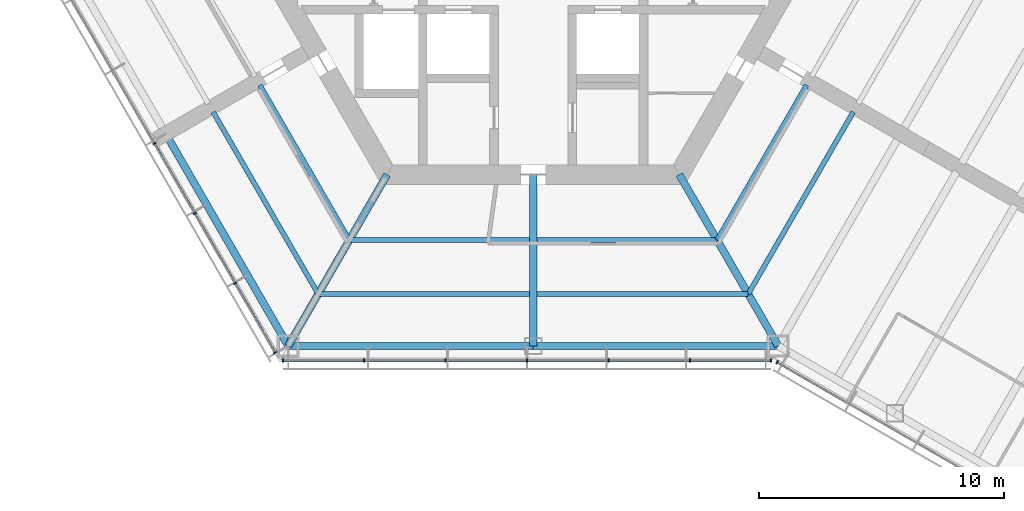
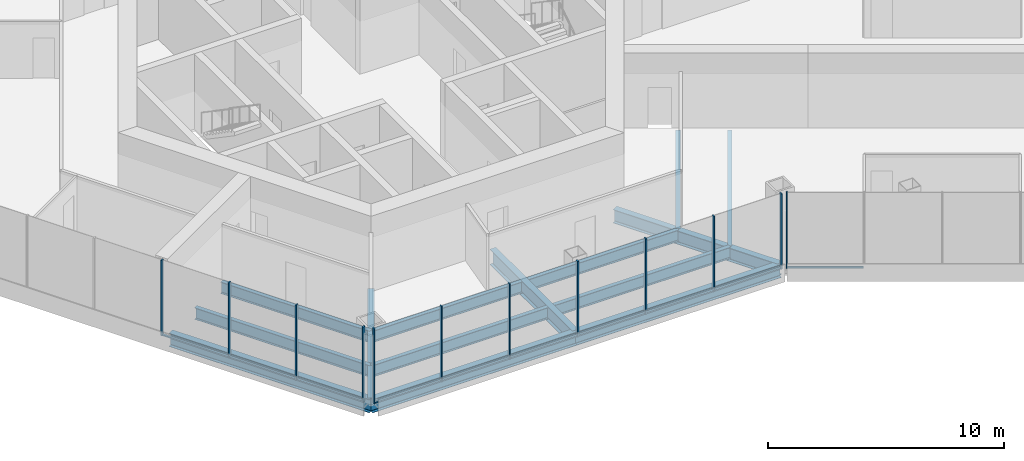
# One storey, part 2 of 15: 22 members, 14 beams, 3 elements without a shape of their own.
"""IFC4 building model written with IfcOpenShell, lengths in metres."""

from ifc_helpers import new_model, si_unit, direction, frame, origin, origin_2d, place, context, subcontext, project, spatial, rectangle, i_section, extrude, material, material_profile, profile_set, type_object, element, aggregate, save


model = new_model("IFC4")

# Units and contexts
model_context = context("Model", 3, precision=1e-05, world=origin(), true_north=direction((0.0, 1.0)))
body_context = subcontext(model_context, "Body", "Model", "MODEL_VIEW")
ifc_project = project(units=[si_unit("LENGTHUNIT", "METRE"), si_unit("AREAUNIT", "SQUARE_METRE"), si_unit("VOLUMEUNIT", "CUBIC_METRE"), si_unit("PLANEANGLEUNIT", "RADIAN"), si_unit("MASSUNIT", "GRAM", prefix="KILO")], contexts=[model_context])

# Site, building, storey
site_placement = place(None, origin())
site = spatial("IfcSite", under=ifc_project, at=site_placement, CompositionType="ELEMENT")
building_placement = place(site_placement, origin())
building = spatial("IfcBuilding", under=site, at=building_placement, Name="Kasaneha Research Tower", CompositionType="ELEMENT")
storey_placement = place(building_placement, frame((0.0, 0.0, 212.800048828125)))
storey = spatial("IfcBuildingStorey", under=building, at=storey_placement, Name="L53", CompositionType="ELEMENT", Elevation=212.800048828125)

# Beams
ifc_material_1 = material(Name="Steel SN490B", Category="steel")
ifc_material_profile_1 = material_profile(ifc_material_1, i_section(OverallWidth=0.199951171875, OverallDepth=0.60009765625, WebThickness=0.010986328125, FlangeThickness=0.01708984375, FilletRadius=0.012939453125, at=origin_2d()), Name="H-600x200x11x17")
ifc_profile_set_1 = profile_set([ifc_material_profile_1], Name="Steel SN490B")
beam_type_1 = type_object("IfcBeamType", Name="B1-3 secondary beam H-600x200x11x17", PredefinedType="JOIST", material=ifc_profile_set_1)
beam_1_placement = place(storey_placement, frame((-7.505615234375, -13.0, -0.449951171875), z_axis=(-0.499999192304, 0.866025870108, 0.0), x_axis=(-0.866025870108, -0.499999192304, 0.0)))
element("IfcBeam", 1, at=beam_1_placement, inside=storey, type_object=beam_type_1, Name="Secondary beam RS210R1 L53", PredefinedType="JOIST", context=body_context, shape_type="SweptSolid", body=[
    extrude(i_section(OverallWidth=0.199951171875, OverallDepth=0.60009765625, WebThickness=0.010986328125, FlangeThickness=0.01708984375, FilletRadius=0.012939453125, at=origin_2d()), origin(), (0.0, 0.0, 1.0), 7.3056640625),
])
beam_2_placement = place(storey_placement, frame((-8.775634765625, -15.199951171875, -0.449951171875), z_axis=(-0.500000102728, 0.866025344474, 0.0), x_axis=(-0.866025344474, -0.500000102728, 0.0)))
element("IfcBeam", 2, at=beam_2_placement, inside=storey, type_object=beam_type_1, Name="Secondary beam RS210R2 L53", PredefinedType="JOIST", context=body_context, shape_type="SweptSolid", body=[
    extrude(i_section(OverallWidth=0.199951171875, OverallDepth=0.60009765625, WebThickness=0.010986328125, FlangeThickness=0.01708984375, FilletRadius=0.012939453125, at=origin_2d()), origin(), (0.0, 0.0, 1.0), 8.57568359375),
])
beam_3_placement = place(storey_placement, frame((-7.505615234375, -13.0, -0.449951171875), z_axis=(1.0, 0.0, 0.0), x_axis=(0.0, 1.0, 0.0)))
element("IfcBeam", 3, at=beam_3_placement, inside=storey, type_object=beam_type_1, Name="Secondary beam RS270L1 L53", PredefinedType="JOIST", context=body_context, shape_type="SweptSolid", body=[
    extrude(i_section(OverallWidth=0.199951171875, OverallDepth=0.60009765625, WebThickness=0.010986328125, FlangeThickness=0.01708984375, FilletRadius=0.012939453125, at=origin_2d()), origin(), (0.0, 0.0, 1.0), 7.355712890625),
])
beam_4_placement = place(storey_placement, frame((-8.775634765625, -15.199951171875, -0.449951171875), z_axis=(1.0, 0.0, 0.0), x_axis=(0.0, 1.0, 0.0)))
element("IfcBeam", 4, at=beam_4_placement, inside=storey, type_object=beam_type_1, Name="Secondary beam RS270L2 L53", PredefinedType="JOIST", context=body_context, shape_type="SweptSolid", body=[
    extrude(i_section(OverallWidth=0.199951171875, OverallDepth=0.60009765625, WebThickness=0.010986328125, FlangeThickness=0.01708984375, FilletRadius=0.012939453125, at=origin_2d()), origin(), (0.0, 0.0, 1.0), 8.625732421875),
])
beam_5_placement = place(storey_placement, frame((7.505615234375, -13.0, -0.449951171875), z_axis=(-1.0, 0.0, 0.0), x_axis=(0.0, -1.0, 0.0)))
element("IfcBeam", 5, at=beam_5_placement, inside=storey, type_object=beam_type_1, Name="Secondary beam RS270R1 L53", PredefinedType="JOIST", context=body_context, shape_type="SweptSolid", body=[
    extrude(i_section(OverallWidth=0.199951171875, OverallDepth=0.60009765625, WebThickness=0.010986328125, FlangeThickness=0.01708984375, FilletRadius=0.012939453125, at=origin_2d()), origin(), (0.0, 0.0, 1.0), 7.355712890625),
])
beam_6_placement = place(storey_placement, frame((8.775634765625, -15.199951171875, -0.449951171875), z_axis=(-1.0, 0.0, 0.0), x_axis=(0.0, -1.0, 0.0)))
element("IfcBeam", 6, at=beam_6_placement, inside=storey, type_object=beam_type_1, Name="Secondary beam RS270R2 L53", PredefinedType="JOIST", context=body_context, shape_type="SweptSolid", body=[
    extrude(i_section(OverallWidth=0.199951171875, OverallDepth=0.60009765625, WebThickness=0.010986328125, FlangeThickness=0.01708984375, FilletRadius=0.012939453125, at=origin_2d()), origin(), (0.0, 0.0, 1.0), 8.625732421875),
])
beam_7_placement = place(storey_placement, frame((7.505615234375, -13.0, -0.449951171875), z_axis=(0.499999192304, 0.866025870108, 0.0), x_axis=(-0.866025870108, 0.499999192304, 0.0)))
element("IfcBeam", 7, at=beam_7_placement, inside=storey, type_object=beam_type_1, Name="Secondary beam RS330L1 L53", PredefinedType="JOIST", context=body_context, shape_type="SweptSolid", body=[
    extrude(i_section(OverallWidth=0.199951171875, OverallDepth=0.60009765625, WebThickness=0.010986328125, FlangeThickness=0.01708984375, FilletRadius=0.012939453125, at=origin_2d()), origin(), (0.0, 0.0, 1.0), 7.3056640625),
])
beam_8_placement = place(storey_placement, frame((8.775634765625, -15.199951171875, -0.449951171875), z_axis=(0.500000102728, 0.866025344474, 0.0), x_axis=(-0.866025344474, 0.500000102728, 0.0)))
element("IfcBeam", 8, at=beam_8_placement, inside=storey, type_object=beam_type_1, Name="Secondary beam RS330L2 L53", PredefinedType="JOIST", context=body_context, shape_type="SweptSolid", body=[
    extrude(i_section(OverallWidth=0.199951171875, OverallDepth=0.60009765625, WebThickness=0.010986328125, FlangeThickness=0.01708984375, FilletRadius=0.012939453125, at=origin_2d()), origin(), (0.0, 0.0, 1.0), 8.57568359375),
])

# Curtain wall, members
ifc_material_2 = material(Name="Glass and aluminium", Category="aluminium")
curtain_wall_type = type_object("IfcCurtainWallType", Name="High-rise office curtain wall", PredefinedType="USERDEFINED", material=ifc_material_2)
curtain_wall_1_placement = place(storey_placement, origin())
curtain_wall_1 = element("IfcCurtainWall", 9, at=curtain_wall_1_placement, inside=storey, type_object=curtain_wall_type, Name="CW-O3 L53 run 04a", ObjectType="UNITISED CURTAIN WALL", PredefinedType="USERDEFINED")
ifc_material_3 = material(Name="Aluminium 6063-T6", Category="aluminium")
ifc_material_profile_2 = material_profile(ifc_material_3, rectangle(XDim=0.06005859375, YDim=0.139892578125, at=origin_2d()), Name="CW-O3 mullion 60x140")
ifc_profile_set_2 = profile_set([ifc_material_profile_2], Name="Aluminium 6063-T6")
member_type_1 = type_object("IfcMemberType", Name="CW-O3 mullion", PredefinedType="MULLION", material=ifc_profile_set_2)
member_1_placement = place(storey_placement, frame((-15.461669921875, -9.060546875, 0.0), z_axis=(0.0, 0.0, 1.0), x_axis=(0.499999995722, -0.866025406254, 0.0)))
member_1 = element("IfcMember", 10, at=member_1_placement, type_object=member_type_1, Name="CW-O3 mullion 4", PredefinedType="MULLION", context=body_context, shape_type="SweptSolid", body=[
    extrude(rectangle(XDim=0.06005859375, YDim=0.139892578125, at=origin_2d()), origin(), (0.0, 0.0, 1.0), 3.89990234375),
])
member_2_placement = place(storey_placement, frame((-13.814697265625, -11.913330078125, 0.0), z_axis=(0.0, 0.0, 1.0), x_axis=(0.499999995722, -0.866025406254, 0.0)))
member_2 = element("IfcMember", 11, at=member_2_placement, type_object=member_type_1, Name="CW-O3 mullion 5", PredefinedType="MULLION", context=body_context, shape_type="SweptSolid", body=[
    extrude(rectangle(XDim=0.06005859375, YDim=0.139892578125, at=origin_2d()), origin(), (0.0, 0.0, 1.0), 3.89990234375),
])
member_3_placement = place(storey_placement, frame((-12.167724609375, -14.76611328125, 0.0), z_axis=(0.0, 0.0, 1.0), x_axis=(0.499999995722, -0.866025406254, 0.0)))
member_3 = element("IfcMember", 12, at=member_3_placement, type_object=member_type_1, Name="CW-O3 mullion 6", PredefinedType="MULLION", context=body_context, shape_type="SweptSolid", body=[
    extrude(rectangle(XDim=0.06005859375, YDim=0.139892578125, at=origin_2d()), origin(), (0.0, 0.0, 1.0), 3.89990234375),
])
member_4_placement = place(storey_placement, frame((-10.53564453125, -17.5927734375, 0.0), z_axis=(0.0, 0.0, 1.0), x_axis=(0.499999995722, -0.866025406254, 0.0)))
member_4 = element("IfcMember", 13, at=member_4_placement, type_object=member_type_1, Name="CW-O3 mullion 7", PredefinedType="MULLION", context=body_context, shape_type="SweptSolid", body=[
    extrude(rectangle(XDim=0.06005859375, YDim=0.139892578125, at=origin_2d()), origin(), (0.0, 0.0, 1.0), 3.89990234375),
])

curtain_wall_2_placement = place(storey_placement, origin())
curtain_wall_2 = element("IfcCurtainWall", 14, at=curtain_wall_2_placement, inside=storey, type_object=curtain_wall_type, Name="CW-O3 L53 run 05a", ObjectType="UNITISED CURTAIN WALL", PredefinedType="USERDEFINED")
member_5_placement = place(storey_placement, frame((-10.21630859375, -17.92041015625, 0.0), z_axis=(0.0, 0.0, 1.0), x_axis=(1.0, 0.0, 0.0)))
member_5 = element("IfcMember", 15, at=member_5_placement, type_object=member_type_1, Name="CW-O3 mullion 1", PredefinedType="MULLION", context=body_context, shape_type="SweptSolid", body=[
    extrude(rectangle(XDim=0.06005859375, YDim=0.139892578125, at=origin_2d()), origin(), (0.0, 0.0, 1.0), 3.89990234375),
])
member_6_placement = place(storey_placement, frame((-6.91552734375, -17.92041015625, 0.0), z_axis=(0.0, 0.0, 1.0), x_axis=(1.0, 0.0, 0.0)))
member_6 = element("IfcMember", 16, at=member_6_placement, type_object=member_type_1, Name="CW-O3 mullion 2", PredefinedType="MULLION", context=body_context, shape_type="SweptSolid", body=[
    extrude(rectangle(XDim=0.06005859375, YDim=0.139892578125, at=origin_2d()), origin(), (0.0, 0.0, 1.0), 3.89990234375),
])
member_7_placement = place(storey_placement, frame((-3.58447265625, -17.92041015625, 0.0), z_axis=(0.0, 0.0, 1.0), x_axis=(1.0, 0.0, 0.0)))
member_7 = element("IfcMember", 17, at=member_7_placement, type_object=member_type_1, Name="CW-O3 mullion 3", PredefinedType="MULLION", context=body_context, shape_type="SweptSolid", body=[
    extrude(rectangle(XDim=0.06005859375, YDim=0.139892578125, at=origin_2d()), origin(), (0.0, 0.0, 1.0), 3.89990234375),
])
member_8_placement = place(storey_placement, frame((-0.253662109375, -17.92041015625, 0.0), z_axis=(0.0, 0.0, 1.0), x_axis=(1.0, 0.0, 0.0)))
member_8 = element("IfcMember", 18, at=member_8_placement, type_object=member_type_1, Name="CW-O3 mullion 4", PredefinedType="MULLION", context=body_context, shape_type="SweptSolid", body=[
    extrude(rectangle(XDim=0.06005859375, YDim=0.139892578125, at=origin_2d()), origin(), (0.0, 0.0, 1.0), 3.89990234375),
])
member_9_placement = place(storey_placement, frame((3.077392578125, -17.92041015625, 0.0), z_axis=(0.0, 0.0, 1.0), x_axis=(1.0, 0.0, 0.0)))
member_9 = element("IfcMember", 19, at=member_9_placement, type_object=member_type_1, Name="CW-O3 mullion 5", PredefinedType="MULLION", context=body_context, shape_type="SweptSolid", body=[
    extrude(rectangle(XDim=0.06005859375, YDim=0.139892578125, at=origin_2d()), origin(), (0.0, 0.0, 1.0), 3.89990234375),
])
member_10_placement = place(storey_placement, frame((6.408203125, -17.92041015625, 0.0), z_axis=(0.0, 0.0, 1.0), x_axis=(1.0, 0.0, 0.0)))
member_10 = element("IfcMember", 20, at=member_10_placement, type_object=member_type_1, Name="CW-O3 mullion 6", PredefinedType="MULLION", context=body_context, shape_type="SweptSolid", body=[
    extrude(rectangle(XDim=0.06005859375, YDim=0.139892578125, at=origin_2d()), origin(), (0.0, 0.0, 1.0), 3.89990234375),
])
member_11_placement = place(storey_placement, frame((9.709228515625, -17.92041015625, 0.0), z_axis=(0.0, 0.0, 1.0), x_axis=(1.0, 0.0, 0.0)))
member_11 = element("IfcMember", 21, at=member_11_placement, type_object=member_type_1, Name="CW-O3 mullion 7", PredefinedType="MULLION", context=body_context, shape_type="SweptSolid", body=[
    extrude(rectangle(XDim=0.06005859375, YDim=0.139892578125, at=origin_2d()), origin(), (0.0, 0.0, 1.0), 3.89990234375),
])

# Curtain wall, member
curtain_wall_3_placement = place(storey_placement, origin())
curtain_wall_3 = element("IfcCurtainWall", 22, at=curtain_wall_3_placement, inside=storey, type_object=curtain_wall_type, Name="CW-O3 L53 run 06a", ObjectType="UNITISED CURTAIN WALL", PredefinedType="USERDEFINED")
member_12_placement = place(storey_placement, frame((9.951904296875, -17.985595703125, 0.0), z_axis=(0.0, 0.0, 1.0), x_axis=(0.866025411464, -0.499999986699, 0.0)))
member_12 = element("IfcMember", 23, at=member_12_placement, type_object=member_type_1, Name="CW-O3 mullion 1", PredefinedType="MULLION", context=body_context, shape_type="SweptSolid", body=[
    extrude(rectangle(XDim=0.06005859375, YDim=0.139892578125, at=origin_2d()), origin(), (0.0, 0.0, 1.0), 3.89990234375),
])

# Member
ifc_material_4 = material(Name="Aluminium 6063-T6", Category="aluminium")
ifc_material_profile_3 = material_profile(ifc_material_4, rectangle(XDim=0.10009765625, YDim=0.06005859375, at=origin_2d()), Name="CW-O3 transom 100x60")
ifc_profile_set_3 = profile_set([ifc_material_profile_3], Name="Aluminium 6063-T6")
member_type_2 = type_object("IfcMemberType", Name="CW-O3 transom", PredefinedType="USERDEFINED", material=ifc_profile_set_3)
member_13_placement = place(storey_placement, frame((-15.44677734375, -9.08642578125, 0.030029296875), z_axis=(0.500036104519, -0.866004557827, 0.0), x_axis=(0.866004557827, 0.500036104519, 0.0)))
member_13 = element("IfcMember", 24, at=member_13_placement, type_object=member_type_2, Name="CW-O3 transom 4", ObjectType="TRANSOM", PredefinedType="USERDEFINED", context=body_context, shape_type="SweptSolid", body=[
    extrude(rectangle(XDim=0.10009765625, YDim=0.06005859375, at=origin_2d()), origin(), (0.0, 0.0, 1.0), 3.234130859375),
])

member_14_placement = place(storey_placement, frame((-13.7998046875, -11.939208984375, 0.030029296875), z_axis=(0.500036104519, -0.866004557827, 0.0), x_axis=(0.866004557827, 0.500036104519, 0.0)))
member_14 = element("IfcMember", 25, at=member_14_placement, type_object=member_type_2, Name="CW-O3 transom 5", ObjectType="TRANSOM", PredefinedType="USERDEFINED", context=body_context, shape_type="SweptSolid", body=[
    extrude(rectangle(XDim=0.10009765625, YDim=0.06005859375, at=origin_2d()), origin(), (0.0, 0.0, 1.0), 3.234130859375),
])

member_15_placement = place(storey_placement, frame((-12.152587890625, -14.7919921875, 0.030029296875), z_axis=(0.499990676028, -0.866030786915, 0.0), x_axis=(0.866030786915, 0.499990676028, 0.0)))
member_15 = element("IfcMember", 26, at=member_15_placement, type_object=member_type_2, Name="CW-O3 transom 6", ObjectType="TRANSOM", PredefinedType="USERDEFINED", context=body_context, shape_type="SweptSolid", body=[
    extrude(rectangle(XDim=0.10009765625, YDim=0.06005859375, at=origin_2d()), origin(), (0.0, 0.0, 1.0), 3.2041015625),
])

aggregate(curtain_wall_1, [member_1, member_2, member_3, member_4, member_13, member_14, member_15])

member_16_placement = place(storey_placement, frame((-10.1865234375, -17.92041015625, 0.030029296875), z_axis=(1.0, 0.0, 0.0), x_axis=(0.0, 1.0, 0.0)))
member_16 = element("IfcMember", 27, at=member_16_placement, type_object=member_type_2, Name="CW-O3 transom 1", ObjectType="TRANSOM", PredefinedType="USERDEFINED", context=body_context, shape_type="SweptSolid", body=[
    extrude(rectangle(XDim=0.10009765625, YDim=0.06005859375, at=origin_2d()), origin(), (0.0, 0.0, 1.0), 3.240966796875),
])

member_17_placement = place(storey_placement, frame((-6.885498046875, -17.92041015625, 0.030029296875), z_axis=(1.0, 0.0, 0.0), x_axis=(0.0, 1.0, 0.0)))
member_17 = element("IfcMember", 28, at=member_17_placement, type_object=member_type_2, Name="CW-O3 transom 2", ObjectType="TRANSOM", PredefinedType="USERDEFINED", context=body_context, shape_type="SweptSolid", body=[
    extrude(rectangle(XDim=0.10009765625, YDim=0.06005859375, at=origin_2d()), origin(), (0.0, 0.0, 1.0), 3.27099609375),
])

member_18_placement = place(storey_placement, frame((-3.554443359375, -17.92041015625, 0.030029296875), z_axis=(1.0, 0.0, 0.0), x_axis=(0.0, 1.0, 0.0)))
member_18 = element("IfcMember", 29, at=member_18_placement, type_object=member_type_2, Name="CW-O3 transom 3", ObjectType="TRANSOM", PredefinedType="USERDEFINED", context=body_context, shape_type="SweptSolid", body=[
    extrude(rectangle(XDim=0.10009765625, YDim=0.06005859375, at=origin_2d()), origin(), (0.0, 0.0, 1.0), 3.270751953125),
])

member_19_placement = place(storey_placement, frame((-0.2236328125, -17.92041015625, 0.030029296875), z_axis=(1.0, 0.0, 0.0), x_axis=(0.0, 1.0, 0.0)))
member_19 = element("IfcMember", 30, at=member_19_placement, type_object=member_type_2, Name="CW-O3 transom 4", ObjectType="TRANSOM", PredefinedType="USERDEFINED", context=body_context, shape_type="SweptSolid", body=[
    extrude(rectangle(XDim=0.10009765625, YDim=0.06005859375, at=origin_2d()), origin(), (0.0, 0.0, 1.0), 3.27099609375),
])

member_20_placement = place(storey_placement, frame((3.107421875, -17.92041015625, 0.030029296875), z_axis=(1.0, 0.0, 0.0), x_axis=(0.0, 1.0, 0.0)))
member_20 = element("IfcMember", 31, at=member_20_placement, type_object=member_type_2, Name="CW-O3 transom 5", ObjectType="TRANSOM", PredefinedType="USERDEFINED", context=body_context, shape_type="SweptSolid", body=[
    extrude(rectangle(XDim=0.10009765625, YDim=0.06005859375, at=origin_2d()), origin(), (0.0, 0.0, 1.0), 3.270751953125),
])

member_21_placement = place(storey_placement, frame((6.438232421875, -17.92041015625, 0.030029296875), z_axis=(1.0, 0.0, 0.0), x_axis=(0.0, 1.0, 0.0)))
member_21 = element("IfcMember", 32, at=member_21_placement, type_object=member_type_2, Name="CW-O3 transom 6", ObjectType="TRANSOM", PredefinedType="USERDEFINED", context=body_context, shape_type="SweptSolid", body=[
    extrude(rectangle(XDim=0.10009765625, YDim=0.06005859375, at=origin_2d()), origin(), (0.0, 0.0, 1.0), 3.240966796875),
])

aggregate(curtain_wall_2, [member_5, member_6, member_7, member_8, member_9, member_10, member_11, member_16, member_17, member_18, member_19, member_20, member_21])

member_22_placement = place(storey_placement, frame((9.977783203125, -18.00048828125, 0.030029296875), z_axis=(0.866022692473, -0.500004696101, 0.0), x_axis=(0.500004696101, 0.866022692473, 0.0)))
member_22 = element("IfcMember", 33, at=member_22_placement, type_object=member_type_2, Name="CW-O3 transom 1", ObjectType="TRANSOM", PredefinedType="USERDEFINED", context=body_context, shape_type="SweptSolid", body=[
    extrude(rectangle(XDim=0.10009765625, YDim=0.06005859375, at=origin_2d()), origin(), (0.0, 0.0, 1.0), 3.2197265625),
])

aggregate(curtain_wall_3, [member_12, member_22])

# Beams
ifc_material_5 = material(Name="Steel SN490B", Category="steel")
ifc_material_profile_4 = material_profile(ifc_material_5, i_section(OverallWidth=0.300048828125, OverallDepth=0.699951171875, WebThickness=0.012939453125, FlangeThickness=0.02392578125, FilletRadius=0.01806640625, at=origin_2d()), Name="H-700x300x13x24")
ifc_profile_set_4 = profile_set([ifc_material_profile_4], Name="Steel SN490B")
beam_type_2 = type_object("IfcBeamType", Name="G1-3 radial girder H-700x300x13x24", PredefinedType="BEAM", material=ifc_profile_set_4)
for number, where, z_axis, x_axis, name in (
    (34, (-5.961181640625, -10.324951171875, -0.5), (-0.49999105496, -0.866030568144, 0.0), (0.866030568144, -0.49999105496, 0.0), "Radial girder RV240 L53"),
    (35, (5.961181640625, -10.324951171875, -0.5), (0.49999105496, -0.866030568144, 0.0), (0.866030568144, 0.49999105496, 0.0), "Radial girder RV300 L53"),
):
    element("IfcBeam", number, at=place(storey_placement, frame(where, z_axis=z_axis, x_axis=x_axis)), inside=storey, type_object=beam_type_2, Name=name, PredefinedType="BEAM", context=body_context, shape_type="SweptSolid", body=[
        extrude(i_section(OverallWidth=0.300048828125, OverallDepth=0.699951171875, WebThickness=0.012939453125, FlangeThickness=0.02392578125, FilletRadius=0.01806640625, at=origin_2d()), origin(), (0.0, 0.0, 1.0), 8.077880859375),
    ])
ifc_material_6 = material(Name="Steel SN490B", Category="steel")
ifc_material_profile_5 = material_profile(ifc_material_6, i_section(OverallWidth=0.300048828125, OverallDepth=0.800048828125, WebThickness=0.013916015625, FlangeThickness=0.02587890625, FilletRadius=0.01806640625, at=origin_2d()), Name="H-800x300x14x26")
ifc_profile_set_5 = profile_set([ifc_material_profile_5], Name="Steel SN490B")
beam_type_3 = type_object("IfcBeamType", Name="G2-3 radial girder H-800x300x14x26", PredefinedType="BEAM", material=ifc_profile_set_5)
beam_9_placement = place(storey_placement, frame((0.0, -10.324951171875, -0.550048828125), z_axis=(0.0, -1.0, 0.0), x_axis=(1.0, 0.0, 0.0)))
element("IfcBeam", 36, at=beam_9_placement, inside=storey, type_object=beam_type_3, Name="Radial girder RM270 L53", PredefinedType="BEAM", context=body_context, shape_type="SweptSolid", body=[
    extrude(i_section(OverallWidth=0.300048828125, OverallDepth=0.800048828125, WebThickness=0.013916015625, FlangeThickness=0.02587890625, FilletRadius=0.01806640625, at=origin_2d()), origin(), (0.0, 0.0, 1.0), 6.99560546875),
])
ifc_material_7 = material(Name="Steel SN490B", Category="steel")
ifc_material_profile_6 = material_profile(ifc_material_7, i_section(OverallWidth=0.300048828125, OverallDepth=0.69189453125, WebThickness=0.012939453125, FlangeThickness=0.02001953125, FilletRadius=0.01806640625, at=origin_2d()), Name="H-692x300x13x20")
ifc_profile_set_6 = profile_set([ifc_material_profile_6], Name="Steel SN490B")
beam_type_4 = type_object("IfcBeamType", Name="G3-3 plate edge girder H-692x300x13x20", PredefinedType="BEAM", material=ifc_profile_set_6)
beam_10_placement = place(storey_placement, frame((-10.0, -17.320556640625, -0.49609375), z_axis=(-0.49999201416, 0.866030014362, 0.0), x_axis=(-0.866030014362, -0.49999201416, 0.0)))
element("IfcBeam", 37, at=beam_10_placement, inside=storey, type_object=beam_type_4, Name="Plate edge girder PEBN L53", PredefinedType="BEAM", context=body_context, shape_type="SweptSolid", body=[
    extrude(i_section(OverallWidth=0.300048828125, OverallDepth=0.69189453125, WebThickness=0.012939453125, FlangeThickness=0.02001953125, FilletRadius=0.01806640625, at=origin_2d()), origin(), (0.0, 0.0, 1.0), 9.800048828125),
])
ifc_material_8 = material(Name="Steel SN490B", Category="steel")
ifc_material_profile_7 = material_profile(ifc_material_8, i_section(OverallWidth=0.300048828125, OverallDepth=0.69189453125, WebThickness=0.012939453125, FlangeThickness=0.02001953125, FilletRadius=0.01806640625, at=origin_2d()), Name="H-692x300x13x20")
ifc_profile_set_7 = profile_set([ifc_material_profile_7], Name="Steel SN490B")
beam_type_5 = type_object("IfcBeamType", Name="SB1-3 spandrel beam H-692x300x13x20", PredefinedType="SPANDREL", material=ifc_profile_set_7)
for number, where, z_axis, x_axis, name in (
    (38, (-10.0, -17.320556640625, -0.49609375), (1.0, 0.0, 0.0), (0.0, 1.0, 0.0), "Spandrel beam SR270L L53"),
    (39, (10.0, -17.320556640625, -0.49609375), (-1.0, 0.0, 0.0), (0.0, -1.0, 0.0), "Spandrel beam SR270R L53"),
):
    element("IfcBeam", number, at=place(storey_placement, frame(where, z_axis=z_axis, x_axis=x_axis)), inside=storey, type_object=beam_type_5, Name=name, PredefinedType="SPANDREL", context=body_context, shape_type="SweptSolid", body=[
        extrude(i_section(OverallWidth=0.300048828125, OverallDepth=0.69189453125, WebThickness=0.012939453125, FlangeThickness=0.02001953125, FilletRadius=0.01806640625, at=origin_2d()), origin(), (0.0, 0.0, 1.0), 10.0),
    ])

save(model, "model.ifc")
